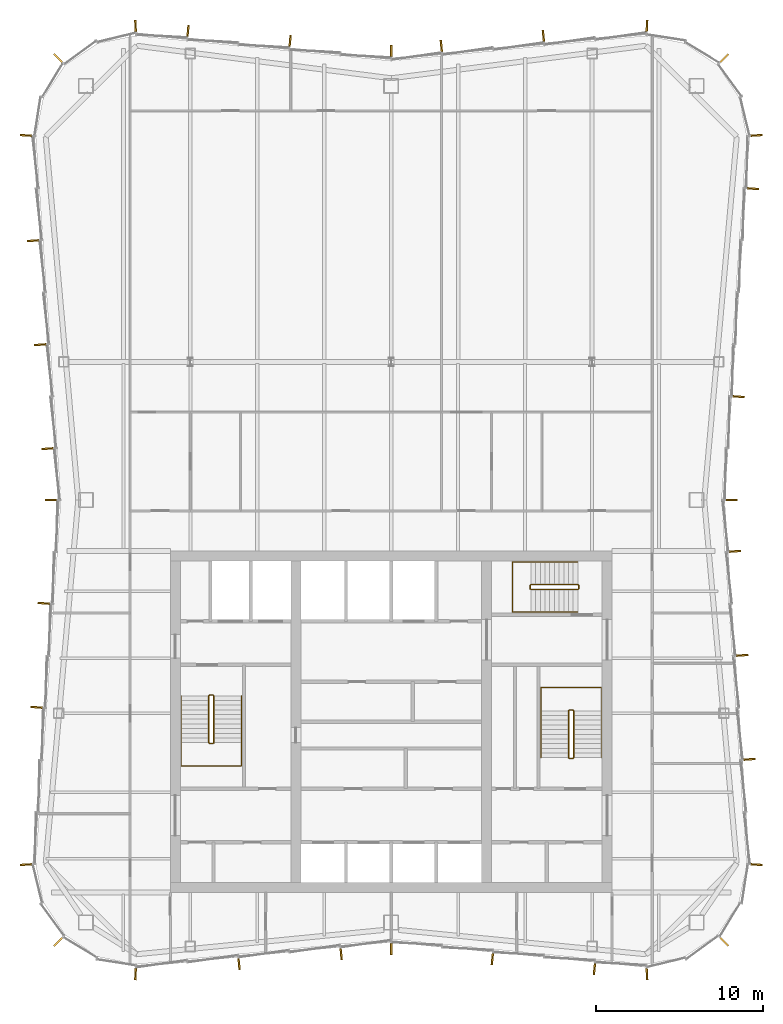
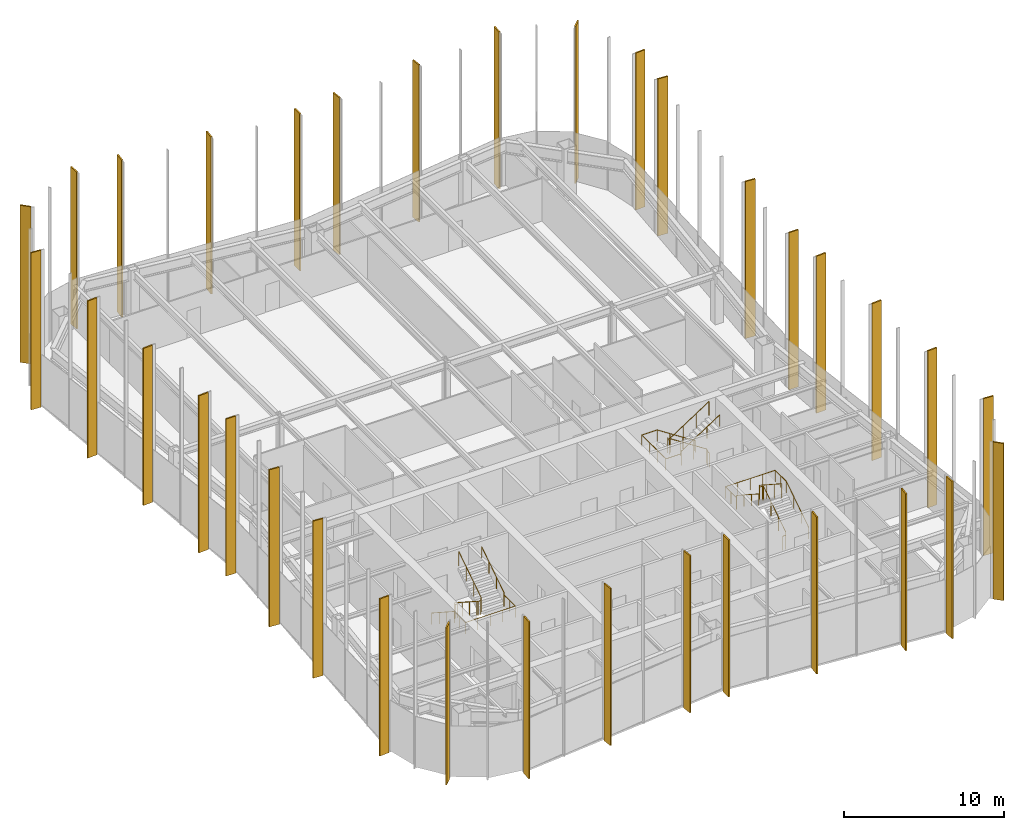
# One storey, part 13 of 13: 34 shading devices, 6 railings.
"""IFC4 building model written with IfcOpenShell, lengths in metres."""

from ifc_helpers import new_model, si_unit, direction, frame, origin, origin_2d, place, context, subcontext, project, spatial, rectangle, circle, extrude, material, layer, layer_set, type_object, element, save


model = new_model("IFC4")

# Units and contexts
model_context = context("Model", 3, precision=1e-05, world=origin(), true_north=direction((0.0, 1.0)))
body_context = subcontext(model_context, "Body", "Model", "MODEL_VIEW")
ifc_project = project(units=[si_unit("LENGTHUNIT", "METRE"), si_unit("AREAUNIT", "SQUARE_METRE"), si_unit("VOLUMEUNIT", "CUBIC_METRE"), si_unit("PLANEANGLEUNIT", "RADIAN"), si_unit("MASSUNIT", "GRAM", prefix="KILO")], contexts=[model_context])

# Site, building, storey
site_placement = place(None, origin())
site = spatial("IfcSite", under=ifc_project, at=site_placement, CompositionType="ELEMENT")
building_placement = place(site_placement, origin())
building = spatial("IfcBuilding", under=site, at=building_placement, Name="Verdant Reach Tower", CompositionType="ELEMENT")
storey_placement = place(building_placement, frame((0.0, 0.0, 294.0)))
storey = spatial("IfcBuildingStorey", under=building, at=storey_placement, Name="L67", CompositionType="ELEMENT", Elevation=294.0)

# Railings
ifc_material_1 = material(Name="Stainless steel", Category="steel")
railing_type_1 = type_object("IfcRailingType", Name="CO-GUARD", PredefinedType="GUARDRAIL", material=ifc_material_1)
railing_1_placement = place(storey_placement, frame((-10.64990234375, 29.60009765625, 0.0)))
element("IfcRailing", 1, at=railing_1_placement, inside=storey, type_object=railing_type_1, Name="L67 ST-1 stair guard 1", PredefinedType="GUARDRAIL", context=body_context, shape_type="SweptSolid", body=[
    extrude(circle(Radius=0.02392578125, at=origin_2d()), frame((0.0, 0.0, 1.076171875), z_axis=(-1.0, 0.0, 0.0), x_axis=(0.0, -1.0, 0.0)), (0.0, 0.0, 1.0), 0.2001953125),
    extrude(circle(Radius=0.02392578125, at=origin_2d()), frame((-0.2001953125, 0.0, 1.076171875), z_axis=(-0.25526617399, -0.256517478764, 0.932222056972), x_axis=(0.708833529934, -0.705375805398, 0.0)), (0.0, 0.0, 1.0), 0.195068359375),
    extrude(circle(Radius=0.02392578125, at=origin_2d()), frame((-0.25, -0.050048828125, 1.2578125), z_axis=(0.0, -0.838705829183, 0.544584733623), x_axis=(1.0, 0.0, 0.0)), (0.0, 0.0, 1.0), 3.338623046875),
    extrude(circle(Radius=0.02392578125, at=origin_2d()), frame((-0.25, -2.85009765625, 3.076171875), z_axis=(0.705375805398, -0.708833529934, 0.0), x_axis=(0.708833529934, 0.705375805398, 0.0)), (0.0, 0.0, 1.0), 0.070556640625),
    extrude(circle(Radius=0.02392578125, at=origin_2d()), frame((-0.2001953125, -2.900146484375, 3.076171875), z_axis=(1.0, 0.0, 0.0), x_axis=(0.0, 1.0, 0.0)), (0.0, 0.0, 1.0), 0.2001953125),
    extrude(circle(Radius=0.02392578125, at=origin_2d()), frame((0.0, -2.900146484375, 3.076171875), z_axis=(0.25526617399, 0.256517478764, 0.932222056972), x_axis=(-0.708833529934, 0.705375805398, 0.0)), (0.0, 0.0, 1.0), 0.195068359375),
    extrude(circle(Radius=0.02392578125, at=origin_2d()), frame((0.0498046875, -2.85009765625, 3.2578125), z_axis=(0.0, 0.838705829183, 0.544584733623), x_axis=(-1.0, 0.0, 0.0)), (0.0, 0.0, 1.0), 3.338623046875),
    extrude(circle(Radius=0.02099609375, at=origin_2d()), origin(), (0.0, 0.0, 1.0), 1.052001953125),
    extrude(circle(Radius=0.02099609375, at=origin_2d()), frame((-0.2001953125, 0.0, 0.0)), (0.0, 0.0, 1.0), 1.052001953125),
    extrude(circle(Radius=0.02099609375, at=origin_2d()), frame((-0.25, -0.050048828125, 0.181884765625)), (0.0, 0.0, 1.0), 1.052001953125),
    extrude(circle(Radius=0.02099609375, at=origin_2d()), frame((-0.25, -0.9833984375, 0.787841796875)), (0.0, 0.0, 1.0), 1.052001953125),
    extrude(circle(Radius=0.02099609375, at=origin_2d()), frame((-0.25, -1.916748046875, 1.39404296875)), (0.0, 0.0, 1.0), 1.052001953125),
    extrude(circle(Radius=0.02099609375, at=origin_2d()), frame((-0.25, -2.85009765625, 2.0)), (0.0, 0.0, 1.0), 1.052001953125),
    extrude(circle(Radius=0.02099609375, at=origin_2d()), frame((-0.2001953125, -2.900146484375, 2.0)), (0.0, 0.0, 1.0), 1.052001953125),
    extrude(circle(Radius=0.02099609375, at=origin_2d()), frame((0.0, -2.900146484375, 2.0)), (0.0, 0.0, 1.0), 1.052001953125),
    extrude(circle(Radius=0.02099609375, at=origin_2d()), frame((0.0498046875, -2.85009765625, 2.181884765625)), (0.0, 0.0, 1.0), 1.052001953125),
    extrude(circle(Radius=0.02099609375, at=origin_2d()), frame((0.0498046875, -1.916748046875, 2.787841796875)), (0.0, 0.0, 1.0), 1.052001953125),
    extrude(circle(Radius=0.02099609375, at=origin_2d()), frame((0.0498046875, -0.9833984375, 3.39404296875)), (0.0, 0.0, 1.0), 1.052001953125),
    extrude(circle(Radius=0.02099609375, at=origin_2d()), frame((0.0498046875, -0.050048828125, 4.0)), (0.0, 0.0, 1.0), 1.052001953125),
])
railing_2_placement = place(storey_placement, frame((10.64990234375, 25.800048828125, 0.0)))
element("IfcRailing", 2, at=railing_2_placement, inside=storey, type_object=railing_type_1, Name="L67 ST-2 stair guard 1", PredefinedType="GUARDRAIL", context=body_context, shape_type="SweptSolid", body=[
    extrude(circle(Radius=0.02392578125, at=origin_2d()), frame((0.0, 0.0, 1.076171875), z_axis=(1.0, 0.0, 0.0), x_axis=(0.0, 1.0, 0.0)), (0.0, 0.0, 1.0), 0.2001953125),
    extrude(circle(Radius=0.02392578125, at=origin_2d()), frame((0.2001953125, 0.0, 1.076171875), z_axis=(0.25526617399, 0.256517478764, 0.932222056972), x_axis=(-0.708833529934, 0.705375805398, 0.0)), (0.0, 0.0, 1.0), 0.195068359375),
    extrude(circle(Radius=0.02392578125, at=origin_2d()), frame((0.25, 0.050048828125, 1.2578125), z_axis=(0.0, 0.83868413941, 0.544618136222), x_axis=(-1.0, 0.0, 0.0)), (0.0, 0.0, 1.0), 3.33837890625),
    extrude(circle(Radius=0.02392578125, at=origin_2d()), frame((0.25, 2.849853515625, 3.076171875), z_axis=(-0.705375805398, 0.708833529934, 0.0), x_axis=(-0.708833529934, -0.705375805398, 0.0)), (0.0, 0.0, 1.0), 0.070556640625),
    extrude(circle(Radius=0.02392578125, at=origin_2d()), frame((0.2001953125, 2.89990234375, 3.076171875), z_axis=(-1.0, 0.0, 0.0), x_axis=(0.0, -1.0, 0.0)), (0.0, 0.0, 1.0), 0.2001953125),
    extrude(circle(Radius=0.02392578125, at=origin_2d()), frame((0.0, 2.89990234375, 3.076171875), z_axis=(-0.25526617399, -0.256517478764, 0.932222056972), x_axis=(0.708833529934, -0.705375805398, 0.0)), (0.0, 0.0, 1.0), 0.195068359375),
    extrude(circle(Radius=0.02392578125, at=origin_2d()), frame((-0.0498046875, 2.849853515625, 3.2578125), z_axis=(0.0, -0.83868413941, 0.544618136222), x_axis=(1.0, 0.0, 0.0)), (0.0, 0.0, 1.0), 3.33837890625),
    extrude(circle(Radius=0.02099609375, at=origin_2d()), origin(), (0.0, 0.0, 1.0), 1.052001953125),
    extrude(circle(Radius=0.02099609375, at=origin_2d()), frame((0.2001953125, 0.0, 0.0)), (0.0, 0.0, 1.0), 1.052001953125),
    extrude(circle(Radius=0.02099609375, at=origin_2d()), frame((0.25, 0.050048828125, 0.181884765625)), (0.0, 0.0, 1.0), 1.052001953125),
    extrude(circle(Radius=0.02099609375, at=origin_2d()), frame((0.25, 0.9833984375, 0.787841796875)), (0.0, 0.0, 1.0), 1.052001953125),
    extrude(circle(Radius=0.02099609375, at=origin_2d()), frame((0.25, 1.91650390625, 1.39404296875)), (0.0, 0.0, 1.0), 1.052001953125),
    extrude(circle(Radius=0.02099609375, at=origin_2d()), frame((0.25, 2.849853515625, 2.0)), (0.0, 0.0, 1.0), 1.052001953125),
    extrude(circle(Radius=0.02099609375, at=origin_2d()), frame((0.2001953125, 2.89990234375, 2.0)), (0.0, 0.0, 1.0), 1.052001953125),
    extrude(circle(Radius=0.02099609375, at=origin_2d()), frame((0.0, 2.89990234375, 2.0)), (0.0, 0.0, 1.0), 1.052001953125),
    extrude(circle(Radius=0.02099609375, at=origin_2d()), frame((-0.0498046875, 2.849853515625, 2.181884765625)), (0.0, 0.0, 1.0), 1.052001953125),
    extrude(circle(Radius=0.02099609375, at=origin_2d()), frame((-0.0498046875, 1.91650390625, 2.787841796875)), (0.0, 0.0, 1.0), 1.052001953125),
    extrude(circle(Radius=0.02099609375, at=origin_2d()), frame((-0.0498046875, 0.9833984375, 3.39404296875)), (0.0, 0.0, 1.0), 1.052001953125),
    extrude(circle(Radius=0.02099609375, at=origin_2d()), frame((-0.0498046875, 0.050048828125, 4.0)), (0.0, 0.0, 1.0), 1.052001953125),
])
railing_3_placement = place(storey_placement, frame((11.199951171875, 35.949951171875, 0.0)))
element("IfcRailing", 3, at=railing_3_placement, inside=storey, type_object=railing_type_1, Name="L67 ST-3 stair guard 1", PredefinedType="GUARDRAIL", context=body_context, shape_type="SweptSolid", body=[
    extrude(circle(Radius=0.02392578125, at=origin_2d()), frame((0.0, 0.0, 1.076171875), z_axis=(0.0, 1.0, 0.0), x_axis=(-1.0, 0.0, 0.0)), (0.0, 0.0, 1.0), 0.199951171875),
    extrude(circle(Radius=0.02392578125, at=origin_2d()), frame((0.0, 0.199951171875, 1.076171875), z_axis=(-0.256435381639, 0.256435381639, 0.931923704005), x_axis=(-0.707106781187, -0.707106781187, 0.0)), (0.0, 0.0, 1.0), 0.195068359375),
    extrude(circle(Radius=0.02392578125, at=origin_2d()), frame((-0.050048828125, 0.25, 1.2578125), z_axis=(-0.83868413941, 0.0, 0.544618136222), x_axis=(0.0, -1.0, 0.0)), (0.0, 0.0, 1.0), 3.33837890625),
    extrude(circle(Radius=0.02392578125, at=origin_2d()), frame((-2.849853515625, 0.25, 3.076171875), z_axis=(-0.707106781187, -0.707106781187, 0.0), x_axis=(0.707106781187, -0.707106781187, 0.0)), (0.0, 0.0, 1.0), 0.07080078125),
    extrude(circle(Radius=0.02392578125, at=origin_2d()), frame((-2.89990234375, 0.199951171875, 3.076171875), z_axis=(0.0, -1.0, 0.0), x_axis=(1.0, 0.0, 0.0)), (0.0, 0.0, 1.0), 0.199951171875),
    extrude(circle(Radius=0.02392578125, at=origin_2d()), frame((-2.89990234375, 0.0, 3.076171875), z_axis=(0.256435381639, -0.256435381639, 0.931923704005), x_axis=(0.707106781187, 0.707106781187, 0.0)), (0.0, 0.0, 1.0), 0.195068359375),
    extrude(circle(Radius=0.02392578125, at=origin_2d()), frame((-2.849853515625, -0.050048828125, 3.2578125), z_axis=(0.83868413941, 0.0, 0.544618136222), x_axis=(0.0, 1.0, 0.0)), (0.0, 0.0, 1.0), 3.33837890625),
    extrude(circle(Radius=0.02099609375, at=origin_2d()), origin(), (0.0, 0.0, 1.0), 1.052001953125),
    extrude(circle(Radius=0.02099609375, at=origin_2d()), frame((0.0, 0.199951171875, 0.0)), (0.0, 0.0, 1.0), 1.052001953125),
    extrude(circle(Radius=0.02099609375, at=origin_2d()), frame((-0.050048828125, 0.25, 0.181884765625)), (0.0, 0.0, 1.0), 1.052001953125),
    extrude(circle(Radius=0.02099609375, at=origin_2d()), frame((-0.9833984375, 0.25, 0.787841796875)), (0.0, 0.0, 1.0), 1.052001953125),
    extrude(circle(Radius=0.02099609375, at=origin_2d()), frame((-1.91650390625, 0.25, 1.39404296875)), (0.0, 0.0, 1.0), 1.052001953125),
    extrude(circle(Radius=0.02099609375, at=origin_2d()), frame((-2.849853515625, 0.25, 2.0)), (0.0, 0.0, 1.0), 1.052001953125),
    extrude(circle(Radius=0.02099609375, at=origin_2d()), frame((-2.89990234375, 0.199951171875, 2.0)), (0.0, 0.0, 1.0), 1.052001953125),
    extrude(circle(Radius=0.02099609375, at=origin_2d()), frame((-2.89990234375, 0.0, 2.0)), (0.0, 0.0, 1.0), 1.052001953125),
    extrude(circle(Radius=0.02099609375, at=origin_2d()), frame((-2.849853515625, -0.050048828125, 2.181884765625)), (0.0, 0.0, 1.0), 1.052001953125),
    extrude(circle(Radius=0.02099609375, at=origin_2d()), frame((-1.91650390625, -0.050048828125, 2.787841796875)), (0.0, 0.0, 1.0), 1.052001953125),
    extrude(circle(Radius=0.02099609375, at=origin_2d()), frame((-0.9833984375, -0.050048828125, 3.39404296875)), (0.0, 0.0, 1.0), 1.052001953125),
    extrude(circle(Radius=0.02099609375, at=origin_2d()), frame((-0.050048828125, -0.050048828125, 4.0)), (0.0, 0.0, 1.0), 1.052001953125),
])
railing_type_2 = type_object("IfcRailingType", Name="CO-HANDRAIL", PredefinedType="HANDRAIL", material=ifc_material_1)
railing_4_placement = place(storey_placement, frame((-12.550048828125, 29.550048828125, 0.181884765625)))
element("IfcRailing", 4, at=railing_4_placement, inside=storey, type_object=railing_type_2, Name="L67 ST-1 stair handrail 1", PredefinedType="HANDRAIL", context=body_context, shape_type="SweptSolid", body=[
    extrude(circle(Radius=0.02392578125, at=origin_2d()), frame((0.0, 0.0, 0.8759765625), z_axis=(0.0, -0.838705829183, 0.544584733623), x_axis=(1.0, 0.0, 0.0)), (0.0, 0.0, 1.0), 3.338623046875),
    extrude(circle(Radius=0.02392578125, at=origin_2d()), frame((0.0, -2.800048828125, 2.69384765625), z_axis=(0.0, -1.0, 0.0), x_axis=(1.0, 0.0, 0.0)), (0.0, 0.0, 1.0), 1.39990234375),
    extrude(circle(Radius=0.02392578125, at=origin_2d()), frame((0.0, -4.199951171875, 2.69384765625), z_axis=(1.0, 0.0, 0.0), x_axis=(0.0, 1.0, 0.0)), (0.0, 0.0, 1.0), 3.60009765625),
    extrude(circle(Radius=0.02392578125, at=origin_2d()), frame((3.60009765625, -4.199951171875, 2.69384765625), z_axis=(0.0, 1.0, 0.0), x_axis=(-1.0, 0.0, 0.0)), (0.0, 0.0, 1.0), 1.39990234375),
    extrude(circle(Radius=0.02392578125, at=origin_2d()), frame((3.60009765625, -2.800048828125, 2.69384765625), z_axis=(0.0, 0.0, 1.0), x_axis=(1.0, 0.0, 0.0)), (0.0, 0.0, 1.0), 0.181884765625),
    extrude(circle(Radius=0.02392578125, at=origin_2d()), frame((3.60009765625, -2.800048828125, 2.8759765625), z_axis=(0.0, 0.838705829183, 0.544584733623), x_axis=(-1.0, 0.0, 0.0)), (0.0, 0.0, 1.0), 3.338623046875),
    extrude(circle(Radius=0.02099609375, at=origin_2d()), origin(), (0.0, 0.0, 1.0), 0.851806640625),
    extrude(circle(Radius=0.02099609375, at=origin_2d()), frame((0.0, -0.933349609375, 0.60595703125)), (0.0, 0.0, 1.0), 0.851806640625),
    extrude(circle(Radius=0.02099609375, at=origin_2d()), frame((0.0, -1.86669921875, 1.212158203125)), (0.0, 0.0, 1.0), 0.851806640625),
    extrude(circle(Radius=0.02099609375, at=origin_2d()), frame((0.0, -2.800048828125, 1.818115234375)), (0.0, 0.0, 1.0), 0.851806640625),
    extrude(circle(Radius=0.02099609375, at=origin_2d()), frame((0.0, -3.5, 1.818115234375)), (0.0, 0.0, 1.0), 0.851806640625),
    extrude(circle(Radius=0.02099609375, at=origin_2d()), frame((0.0, -4.199951171875, 1.818115234375)), (0.0, 0.0, 1.0), 0.851806640625),
    extrude(circle(Radius=0.02099609375, at=origin_2d()), frame((0.89990234375, -4.199951171875, 1.818115234375)), (0.0, 0.0, 1.0), 0.851806640625),
    extrude(circle(Radius=0.02099609375, at=origin_2d()), frame((1.800048828125, -4.199951171875, 1.818115234375)), (0.0, 0.0, 1.0), 0.851806640625),
    extrude(circle(Radius=0.02099609375, at=origin_2d()), frame((2.7001953125, -4.199951171875, 1.818115234375)), (0.0, 0.0, 1.0), 0.851806640625),
    extrude(circle(Radius=0.02099609375, at=origin_2d()), frame((3.60009765625, -4.199951171875, 1.818115234375)), (0.0, 0.0, 1.0), 0.851806640625),
    extrude(circle(Radius=0.02099609375, at=origin_2d()), frame((3.60009765625, -3.5, 1.818115234375)), (0.0, 0.0, 1.0), 0.851806640625),
    extrude(circle(Radius=0.02099609375, at=origin_2d()), frame((3.60009765625, -2.800048828125, 1.818115234375)), (0.0, 0.0, 1.0), 0.851806640625),
    extrude(circle(Radius=0.02099609375, at=origin_2d()), frame((3.60009765625, -2.800048828125, 2.0)), (0.0, 0.0, 1.0), 0.851806640625),
    extrude(circle(Radius=0.02099609375, at=origin_2d()), frame((3.60009765625, -1.86669921875, 2.60595703125)), (0.0, 0.0, 1.0), 0.851806640625),
    extrude(circle(Radius=0.02099609375, at=origin_2d()), frame((3.60009765625, -0.933349609375, 3.212158203125)), (0.0, 0.0, 1.0), 0.851806640625),
    extrude(circle(Radius=0.02099609375, at=origin_2d()), frame((3.60009765625, 0.0, 3.818115234375)), (0.0, 0.0, 1.0), 0.851806640625),
])
railing_5_placement = place(storey_placement, frame((12.550048828125, 25.85009765625, 0.181884765625)))
element("IfcRailing", 5, at=railing_5_placement, inside=storey, type_object=railing_type_2, Name="L67 ST-2 stair handrail 1", PredefinedType="HANDRAIL", context=body_context, shape_type="SweptSolid", body=[
    extrude(circle(Radius=0.02392578125, at=origin_2d()), frame((0.0, 0.0, 0.8759765625), z_axis=(0.0, 0.83868413941, 0.544618136222), x_axis=(-1.0, 0.0, 0.0)), (0.0, 0.0, 1.0), 3.33837890625),
    extrude(circle(Radius=0.02392578125, at=origin_2d()), frame((0.0, 2.7998046875, 2.69384765625), z_axis=(0.0, 1.0, 0.0), x_axis=(-1.0, 0.0, 0.0)), (0.0, 0.0, 1.0), 1.400146484375),
    extrude(circle(Radius=0.02392578125, at=origin_2d()), frame((0.0, 4.199951171875, 2.69384765625), z_axis=(-1.0, 0.0, 0.0), x_axis=(0.0, -1.0, 0.0)), (0.0, 0.0, 1.0), 3.60009765625),
    extrude(circle(Radius=0.02392578125, at=origin_2d()), frame((-3.60009765625, 4.199951171875, 2.69384765625), z_axis=(0.0, -1.0, 0.0), x_axis=(1.0, 0.0, 0.0)), (0.0, 0.0, 1.0), 1.400146484375),
    extrude(circle(Radius=0.02392578125, at=origin_2d()), frame((-3.60009765625, 2.7998046875, 2.69384765625), z_axis=(0.0, 0.0, 1.0), x_axis=(1.0, 0.0, 0.0)), (0.0, 0.0, 1.0), 0.181884765625),
    extrude(circle(Radius=0.02392578125, at=origin_2d()), frame((-3.60009765625, 2.7998046875, 2.8759765625), z_axis=(0.0, -0.83868413941, 0.544618136222), x_axis=(1.0, 0.0, 0.0)), (0.0, 0.0, 1.0), 3.33837890625),
    extrude(circle(Radius=0.02099609375, at=origin_2d()), origin(), (0.0, 0.0, 1.0), 0.851806640625),
    extrude(circle(Radius=0.02099609375, at=origin_2d()), frame((0.0, 0.933349609375, 0.60595703125)), (0.0, 0.0, 1.0), 0.851806640625),
    extrude(circle(Radius=0.02099609375, at=origin_2d()), frame((0.0, 1.866455078125, 1.212158203125)), (0.0, 0.0, 1.0), 0.851806640625),
    extrude(circle(Radius=0.02099609375, at=origin_2d()), frame((0.0, 2.7998046875, 1.818115234375)), (0.0, 0.0, 1.0), 0.851806640625),
    extrude(circle(Radius=0.02099609375, at=origin_2d()), frame((0.0, 3.5, 1.818115234375)), (0.0, 0.0, 1.0), 0.851806640625),
    extrude(circle(Radius=0.02099609375, at=origin_2d()), frame((0.0, 4.199951171875, 1.818115234375)), (0.0, 0.0, 1.0), 0.851806640625),
    extrude(circle(Radius=0.02099609375, at=origin_2d()), frame((-0.89990234375, 4.199951171875, 1.818115234375)), (0.0, 0.0, 1.0), 0.851806640625),
    extrude(circle(Radius=0.02099609375, at=origin_2d()), frame((-1.800048828125, 4.199951171875, 1.818115234375)), (0.0, 0.0, 1.0), 0.851806640625),
    extrude(circle(Radius=0.02099609375, at=origin_2d()), frame((-2.7001953125, 4.199951171875, 1.818115234375)), (0.0, 0.0, 1.0), 0.851806640625),
    extrude(circle(Radius=0.02099609375, at=origin_2d()), frame((-3.60009765625, 4.199951171875, 1.818115234375)), (0.0, 0.0, 1.0), 0.851806640625),
    extrude(circle(Radius=0.02099609375, at=origin_2d()), frame((-3.60009765625, 3.5, 1.818115234375)), (0.0, 0.0, 1.0), 0.851806640625),
    extrude(circle(Radius=0.02099609375, at=origin_2d()), frame((-3.60009765625, 2.7998046875, 1.818115234375)), (0.0, 0.0, 1.0), 0.851806640625),
    extrude(circle(Radius=0.02099609375, at=origin_2d()), frame((-3.60009765625, 2.7998046875, 2.0)), (0.0, 0.0, 1.0), 0.851806640625),
    extrude(circle(Radius=0.02099609375, at=origin_2d()), frame((-3.60009765625, 1.866455078125, 2.60595703125)), (0.0, 0.0, 1.0), 0.851806640625),
    extrude(circle(Radius=0.02099609375, at=origin_2d()), frame((-3.60009765625, 0.933349609375, 3.212158203125)), (0.0, 0.0, 1.0), 0.851806640625),
    extrude(circle(Radius=0.02099609375, at=origin_2d()), frame((-3.60009765625, 0.0, 3.818115234375)), (0.0, 0.0, 1.0), 0.851806640625),
])
railing_6_placement = place(storey_placement, frame((11.14990234375, 37.550048828125, 0.181884765625)))
element("IfcRailing", 6, at=railing_6_placement, inside=storey, type_object=railing_type_2, Name="L67 ST-3 stair handrail 1", PredefinedType="HANDRAIL", context=body_context, shape_type="SweptSolid", body=[
    extrude(circle(Radius=0.02392578125, at=origin_2d()), frame((0.0, 0.0, 0.8759765625), z_axis=(-0.83868413941, 0.0, 0.544618136222), x_axis=(0.0, -1.0, 0.0)), (0.0, 0.0, 1.0), 3.33837890625),
    extrude(circle(Radius=0.02392578125, at=origin_2d()), frame((-2.7998046875, 0.0, 2.69384765625), z_axis=(-1.0, 0.0, 0.0), x_axis=(0.0, -1.0, 0.0)), (0.0, 0.0, 1.0), 1.10009765625),
    extrude(circle(Radius=0.02392578125, at=origin_2d()), frame((-3.89990234375, 0.0, 2.69384765625), z_axis=(0.0, -1.0, 0.0), x_axis=(1.0, 0.0, 0.0)), (0.0, 0.0, 1.0), 3.0),
    extrude(circle(Radius=0.02392578125, at=origin_2d()), frame((-3.89990234375, -3.0, 2.69384765625), z_axis=(1.0, 0.0, 0.0), x_axis=(0.0, 1.0, 0.0)), (0.0, 0.0, 1.0), 1.10009765625),
    extrude(circle(Radius=0.02392578125, at=origin_2d()), frame((-2.7998046875, -3.0, 2.69384765625), z_axis=(0.0, 0.0, 1.0), x_axis=(1.0, 0.0, 0.0)), (0.0, 0.0, 1.0), 0.181884765625),
    extrude(circle(Radius=0.02392578125, at=origin_2d()), frame((-2.7998046875, -3.0, 2.8759765625), z_axis=(0.83868413941, 0.0, 0.544618136222), x_axis=(0.0, 1.0, 0.0)), (0.0, 0.0, 1.0), 3.33837890625),
    extrude(circle(Radius=0.02099609375, at=origin_2d()), origin(), (0.0, 0.0, 1.0), 0.851806640625),
    extrude(circle(Radius=0.02099609375, at=origin_2d()), frame((-0.933349609375, 0.0, 0.60595703125)), (0.0, 0.0, 1.0), 0.851806640625),
    extrude(circle(Radius=0.02099609375, at=origin_2d()), frame((-1.866455078125, 0.0, 1.212158203125)), (0.0, 0.0, 1.0), 0.851806640625),
    extrude(circle(Radius=0.02099609375, at=origin_2d()), frame((-2.7998046875, 0.0, 1.818115234375)), (0.0, 0.0, 1.0), 0.851806640625),
    extrude(circle(Radius=0.02099609375, at=origin_2d()), frame((-3.89990234375, 0.0, 1.818115234375)), (0.0, 0.0, 1.0), 0.851806640625),
    extrude(circle(Radius=0.02099609375, at=origin_2d()), frame((-3.89990234375, -1.0, 1.818115234375)), (0.0, 0.0, 1.0), 0.851806640625),
    extrude(circle(Radius=0.02099609375, at=origin_2d()), frame((-3.89990234375, -2.0, 1.818115234375)), (0.0, 0.0, 1.0), 0.851806640625),
    extrude(circle(Radius=0.02099609375, at=origin_2d()), frame((-3.89990234375, -3.0, 1.818115234375)), (0.0, 0.0, 1.0), 0.851806640625),
    extrude(circle(Radius=0.02099609375, at=origin_2d()), frame((-2.7998046875, -3.0, 1.818115234375)), (0.0, 0.0, 1.0), 0.851806640625),
    extrude(circle(Radius=0.02099609375, at=origin_2d()), frame((-2.7998046875, -3.0, 2.0)), (0.0, 0.0, 1.0), 0.851806640625),
    extrude(circle(Radius=0.02099609375, at=origin_2d()), frame((-1.866455078125, -3.0, 2.60595703125)), (0.0, 0.0, 1.0), 0.851806640625),
    extrude(circle(Radius=0.02099609375, at=origin_2d()), frame((-0.933349609375, -3.0, 3.212158203125)), (0.0, 0.0, 1.0), 0.851806640625),
    extrude(circle(Radius=0.02099609375, at=origin_2d()), frame((0.0, -3.0, 3.818115234375)), (0.0, 0.0, 1.0), 0.851806640625),
])

# Shading devices
ifc_material_2 = material(Name="Bronze fin, champagne", Category="aluminium")
ifc_layer_1 = layer(ifc_material_2, 0.10009765625)
ifc_layer_set_1 = layer_set([ifc_layer_1], Name="EN-FIN CHAMPAGNE")
shading_device_type_1 = type_object("IfcShadingDeviceType", Name="EN-FIN CHAMPAGNE", PredefinedType="USERDEFINED", material=ifc_layer_set_1)
for number, where, z_axis, x_axis, name in (
    (7, (19.90283203125, 14.84716796875, -0.35009765625), (0.0, 0.0, 1.0), (0.707106781187, 0.707106781187, 0.0), "Fin south-east corner 3, L67"),
    (8, (21.828857421875, 19.463134765625, -0.35009765625), (0.0, 0.0, 1.0), (0.063698618332, 0.997969180898, 0.0), "Fin east face part 1 1, L67"),
    (9, (20.757080078125, 47.42431640625, -0.35009765625), (0.0, 0.0, 1.0), (0.068802091615, 0.997630328423, 0.0), "Fin east face part 2 3, L67"),
    (10, (21.828857421875, 63.036865234375, -0.35009765625), (0.0, 0.0, 1.0), (-0.063698618332, 0.997969180898, 0.0), "Fin north-east corner 1, L67"),
    (11, (0.0, 68.080078125, -0.35009765625), (0.0, 0.0, 1.0), (-1.0, 0.0, 0.0), "Fin north face part 2 1, L67"),
    (12, (-20.971435546875, 50.531494140625, -0.35009765625), (0.0, 0.0, 1.0), (0.068802091615, -0.997630328423, 0.0), "Fin west face part 1 5, L67"),
    (13, (-9.09326171875, 13.522705078125, -0.35009765625), (0.0, 0.0, 1.0), (0.995197410875, 0.09788826992, 0.0), "Fin south face part 1 3, L67"),
    (14, (12.143310546875, 13.222900390625, -0.35009765625), (0.0, 0.0, 1.0), (0.995197410875, -0.09788826992, 0.0), "Fin south face part 2 5, L67"),
):
    element("IfcShadingDevice", number, at=place(storey_placement, frame(where, z_axis=z_axis, x_axis=x_axis)), inside=storey, type_object=shading_device_type_1, Name=name, ObjectType="FIN", PredefinedType="USERDEFINED", context=body_context, shape_type="SweptSolid", body=[
        extrude(rectangle(XDim=0.10009765625, YDim=0.699951171875, at=origin_2d()), origin(), (0.0, 0.0, 1.0), 12.0),
    ])
ifc_material_3 = material(Name="Bronze fin, copper", Category="aluminium")
ifc_layer_2 = layer(ifc_material_3, 0.10009765625)
ifc_layer_set_2 = layer_set([ifc_layer_2], Name="EN-FIN COPPER")
shading_device_type_2 = type_object("IfcShadingDeviceType", Name="EN-FIN COPPER", PredefinedType="USERDEFINED", material=ifc_layer_set_2)
for number, where, z_axis, x_axis, name in (
    (15, (21.400146484375, 25.754150390625, -0.35009765625), (0.0, 0.0, 1.0), (-0.068802091615, 0.997630328423, 0.0), "Fin east face part 1 3, L67"),
    (16, (19.90283203125, 67.65283203125, -0.35009765625), (0.0, 0.0, 1.0), (-0.707106781187, 0.707106781187, 0.0), "Fin north-east corner 3, L67"),
    (17, (15.278564453125, 69.579345703125, -0.35009765625), (0.0, 0.0, 1.0), (-0.998792510626, 0.049127596288, 0.0), "Fin north face part 1 1, L67"),
    (18, (9.09326171875, 68.977294921875, -0.35009765625), (0.0, 0.0, 1.0), (-0.995197410875, -0.09788826992, 0.0), "Fin north face part 1 3, L67"),
    (19, (-6.043212890625, 68.67724609375, -0.35009765625), (0.0, 0.0, 1.0), (-0.995197410875, 0.09788826992, 0.0), "Fin north face part 2 3, L67"),
    (20, (-15.278564453125, 69.579345703125, -0.35009765625), (0.0, 0.0, 1.0), (-0.998792510626, -0.049127596288, 0.0), "Fin north-west corner 1, L67"),
    (21, (-19.90283203125, 67.65283203125, -0.35009765625), (0.0, 0.0, 1.0), (-0.707106781187, -0.707106781187, 0.0), "Fin north-west corner 3, L67"),
    (22, (-21.828857421875, 63.036865234375, -0.35009765625), (0.0, 0.0, 1.0), (-0.063698618332, -0.997969180898, 0.0), "Fin west face part 1 1, L67"),
    (23, (-20.54296875, 44.317138671875, -0.35009765625), (0.0, 0.0, 1.0), (0.068802091615, -0.997630328423, 0.0), "Fin west face part 1 7, L67"),
    (24, (-20.330078125, 41.25, -0.35009765625), (0.0, 0.0, 1.0), (0.0, -1.0, 0.0), "Fin west face part 2 1, L67"),
    (25, (-21.828857421875, 19.463134765625, -0.35009765625), (0.0, 0.0, 1.0), (0.063698618332, -0.997969180898, 0.0), "Fin south-west corner 1, L67"),
    (26, (-2.9931640625, 14.122802734375, -0.35009765625), (0.0, 0.0, 1.0), (0.995197410875, 0.09788826992, 0.0), "Fin south face part 1 5, L67"),
):
    element("IfcShadingDevice", number, at=place(storey_placement, frame(where, z_axis=z_axis, x_axis=x_axis)), inside=storey, type_object=shading_device_type_2, Name=name, ObjectType="FIN", PredefinedType="USERDEFINED", context=body_context, shape_type="SweptSolid", body=[
        extrude(rectangle(XDim=0.10009765625, YDim=0.699951171875, at=origin_2d()), origin(), (0.0, 0.0, 1.0), 12.0),
    ])
ifc_material_4 = material(Name="Bronze fin, dark bronze", Category="aluminium")
ifc_layer_3 = layer(ifc_material_4, 0.10009765625)
ifc_layer_set_3 = layer_set([ifc_layer_3], Name="EN-FIN DARK")
shading_device_type_3 = type_object("IfcShadingDeviceType", Name="EN-FIN DARK", PredefinedType="USERDEFINED", material=ifc_layer_set_3)
for number, where, z_axis, x_axis, name in (
    (27, (15.278564453125, 12.920654296875, -0.35009765625), (0.0, 0.0, 1.0), (0.998792510626, 0.049127596288, 0.0), "Fin south-east corner 1, L67"),
    (28, (20.971435546875, 31.968505859375, -0.35009765625), (0.0, 0.0, 1.0), (-0.068802091615, 0.997630328423, 0.0), "Fin east face part 1 5, L67"),
    (29, (20.54296875, 38.182861328125, -0.35009765625), (0.0, 0.0, 1.0), (-0.068802091615, 0.997630328423, 0.0), "Fin east face part 1 7, L67"),
    (30, (20.330078125, 41.25, -0.35009765625), (0.0, 0.0, 1.0), (0.0, 1.0, 0.0), "Fin east face part 2 1, L67"),
    (31, (21.6142578125, 59.85302734375, -0.35009765625), (0.0, 0.0, 1.0), (0.068802091615, 0.997630328423, 0.0), "Fin east face part 2 7, L67"),
    (32, (2.9931640625, 68.377197265625, -0.35009765625), (0.0, 0.0, 1.0), (-0.995197410875, -0.09788826992, 0.0), "Fin north face part 1 5, L67"),
    (33, (-12.143310546875, 69.277099609375, -0.35009765625), (0.0, 0.0, 1.0), (-0.995197410875, 0.09788826992, 0.0), "Fin north face part 2 5, L67"),
    (34, (-21.400146484375, 56.745849609375, -0.35009765625), (0.0, 0.0, 1.0), (0.068802091615, -0.997630328423, 0.0), "Fin west face part 1 3, L67"),
    (35, (-20.757080078125, 35.07568359375, -0.35009765625), (0.0, 0.0, 1.0), (-0.068802091615, -0.997630328423, 0.0), "Fin west face part 2 3, L67"),
    (36, (-21.185791015625, 28.861328125, -0.35009765625), (0.0, 0.0, 1.0), (-0.068802091615, -0.997630328423, 0.0), "Fin west face part 2 5, L67"),
    (37, (-19.90283203125, 14.84716796875, -0.35009765625), (0.0, 0.0, 1.0), (0.707106781187, -0.707106781187, 0.0), "Fin south-west corner 3, L67"),
    (38, (-15.278564453125, 12.920654296875, -0.35009765625), (0.0, 0.0, 1.0), (0.998792510626, -0.049127596288, 0.0), "Fin south face part 1 1, L67"),
    (39, (0.0, 14.419921875, -0.35009765625), (0.0, 0.0, 1.0), (1.0, 0.0, 0.0), "Fin south face part 2 1, L67"),
    (40, (6.043212890625, 13.82275390625, -0.35009765625), (0.0, 0.0, 1.0), (0.995197410875, -0.09788826992, 0.0), "Fin south face part 2 3, L67"),
):
    element("IfcShadingDevice", number, at=place(storey_placement, frame(where, z_axis=z_axis, x_axis=x_axis)), inside=storey, type_object=shading_device_type_3, Name=name, ObjectType="FIN", PredefinedType="USERDEFINED", context=body_context, shape_type="SweptSolid", body=[
        extrude(rectangle(XDim=0.10009765625, YDim=0.699951171875, at=origin_2d()), origin(), (0.0, 0.0, 1.0), 12.0),
    ])

save(model, "model.ifc")
